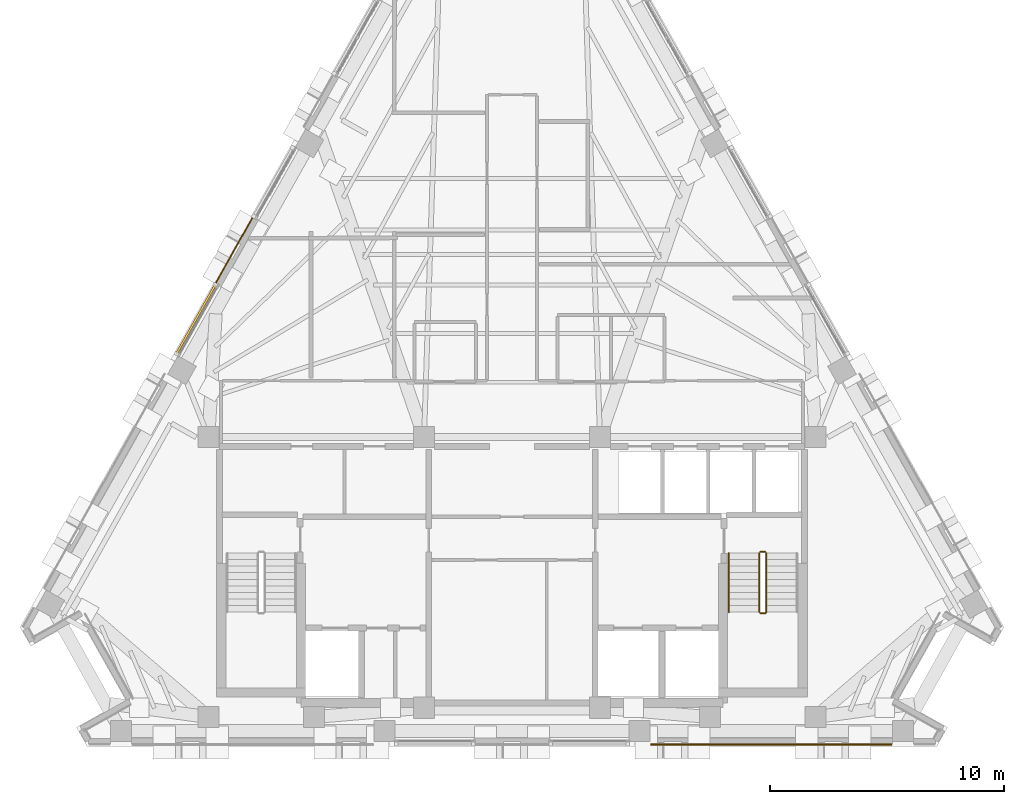
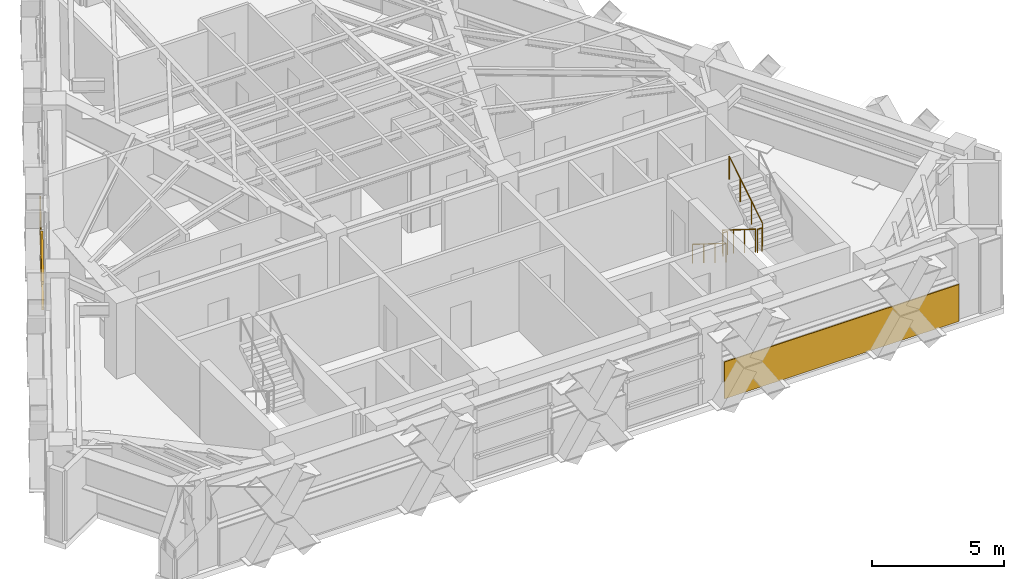
# One storey, part 12 of 13: 5 railings, 2 coverings, 2 shading devices.
"""IFC4 building model written with IfcOpenShell, lengths in metres."""

from ifc_helpers import new_model, si_unit, direction, frame, origin, origin_2d, place, context, subcontext, project, spatial, polyline, rectangle, circle, outline, extrude, material, layer, layer_set, material_profile, profile_set, type_object, element, save


model = new_model("IFC4")

# Units and contexts
model_context = context("Model", 3, precision=1e-05, world=origin(), true_north=direction((0.0, 1.0)))
body_context = subcontext(model_context, "Body", "Model", "MODEL_VIEW")
ifc_project = project(units=[si_unit("LENGTHUNIT", "METRE"), si_unit("AREAUNIT", "SQUARE_METRE"), si_unit("VOLUMEUNIT", "CUBIC_METRE"), si_unit("PLANEANGLEUNIT", "RADIAN"), si_unit("MASSUNIT", "GRAM", prefix="KILO")], contexts=[model_context])

# Site, building, storey
site_placement = place(None, origin())
site = spatial("IfcSite", under=ifc_project, at=site_placement, CompositionType="ELEMENT")
building_placement = place(site_placement, origin())
building = spatial("IfcBuilding", under=site, at=building_placement, Name="Quenlor Broadcast Tower", CompositionType="ELEMENT")
storey_placement = place(building_placement, frame((0.0, 0.0, 225.39990234375)))
storey = spatial("IfcBuildingStorey", under=building, at=storey_placement, Name="L62", CompositionType="ELEMENT", Elevation=225.39990234375)

# Shading devices
ifc_material_1 = material(Name="Architectural Terracotta Ceramic", Category="masonry")
ifc_material_profile = material_profile(ifc_material_1, rectangle(XDim=0.090087890625, YDim=0.139892578125, at=origin_2d()))
ifc_profile_set = profile_set([ifc_material_profile], Name="Architectural Terracotta Ceramic BAG90x140")
shading_device_type = type_object("IfcShadingDeviceType", Name="Copper Terracotta Baguette Solar Screen 140", PredefinedType="USERDEFINED", material=ifc_profile_set)
for number, where, z_axis, x_axis, name in (
    (1, (-14.307861328125, -1.244384765625, 1.170166015625), (0.490195776457, 0.871612356925, 0.0), (-0.871612356925, 0.490195776457, 0.0), "L62 Terracotta Baguette Screen 1"),
    (2, (-14.307861328125, -1.244384765625, 2.340087890625), (0.490195776457, 0.871612356925, 0.0), (-0.871612356925, 0.490195776457, 0.0), "L62 Terracotta Baguette Screen 2"),
):
    element("IfcShadingDevice", number, at=place(storey_placement, frame(where, z_axis=z_axis, x_axis=x_axis)), inside=storey, type_object=shading_device_type, Name=name, ObjectType="BAGUETTE", PredefinedType="USERDEFINED", context=body_context, shape_type="SweptSolid", body=[
        extrude(rectangle(XDim=0.090087890625, YDim=0.139892578125, at=origin_2d()), origin(), (0.0, 0.0, 1.0), 3.3642578125),
    ])

# Coverings
ifc_material_2 = material(Name="Architectural Terracotta Ceramic", Category="masonry")
ifc_layer = layer(ifc_material_2, 0.044921875)
ifc_layer_set = layer_set([ifc_layer], Name="Fluted Terracotta Rainscreen Cladding Panel")
covering_type = type_object("IfcCoveringType", Name="Fluted Terracotta Rainscreen Cladding Panel", PredefinedType="CLADDING", material=ifc_layer_set)
covering_1_placement = place(storey_placement, frame((0.0, 0.0, 0.02001953125)))
element("IfcCovering", 3, at=covering_1_placement, inside=storey, type_object=covering_type, Name="L62 Terracotta Rainscreen Cladding L62-EW-SA", PredefinedType="CLADDING", context=body_context, shape_type="SweptSolid", body=[
    extrude(outline(polyline([(16.19091796875, -17.89697265625), (5.9228515625, -17.89697265625), (5.9228515625, -17.94189453125), (16.19091796875, -17.94189453125), (16.19091796875, -17.89697265625)])), origin(), (0.0, 0.0, 1.0), 1.7099609375),
])
covering_2_placement = place(storey_placement, frame((0.0, 0.0, 0.02001953125)))
element("IfcCovering", 4, at=covering_2_placement, inside=storey, type_object=covering_type, Name="L62 Terracotta Rainscreen Cladding L62-NW-SP1", PredefinedType="CLADDING", context=body_context, shape_type="SweptSolid", body=[
    extrude(outline(polyline([(-12.626220703125, 1.7431640625), (-11.044189453125, 4.555908203125), (-11.08349609375, 4.577880859375), (-12.66552734375, 1.76513671875), (-12.626220703125, 1.7431640625)])), origin(), (0.0, 0.0, 1.0), 1.7099609375),
])

# Railings
ifc_material_3 = material(Name="Anodised Aluminium", Category="aluminium")
railing_type_1 = type_object("IfcRailingType", Name="Stainless Aluminium Wall Handrail 900", PredefinedType="HANDRAIL", material=ifc_material_3)
railing_1_placement = place(storey_placement, frame((9.25, -9.75, 0.175048828125)))
element("IfcRailing", 5, at=railing_1_placement, inside=storey, type_object=railing_type_1, Name="L62 ST-2 stair handrail 1", PredefinedType="HANDRAIL", context=body_context, shape_type="SweptSolid", body=[
    extrude(circle(Radius=0.02392578125, at=origin_2d()), frame((0.0, 0.0, 0.8759765625), z_axis=(0.0, -0.848007534815, 0.529984170421), x_axis=(1.0, 0.0, 0.0)), (0.0, 0.0, 1.0), 2.9716796875),
    extrude(circle(Radius=0.02099609375, at=origin_2d()), origin(), (0.0, 0.0, 1.0), 0.851806640625),
    extrude(circle(Radius=0.02099609375, at=origin_2d()), frame((0.0, -0.840087890625, 0.52490234375)), (0.0, 0.0, 1.0), 0.851806640625),
    extrude(circle(Radius=0.02099609375, at=origin_2d()), frame((0.0, -1.679931640625, 1.050048828125)), (0.0, 0.0, 1.0), 0.851806640625),
    extrude(circle(Radius=0.02099609375, at=origin_2d()), frame((0.0, -2.52001953125, 1.574951171875)), (0.0, 0.0, 1.0), 0.851806640625),
])
ifc_material_4 = material(Name="Steel S355", Category="steel")
railing_type_2 = type_object("IfcRailingType", Name="Tubular Steel S355 Stair Guardrail 1100", PredefinedType="BALUSTRADE", material=ifc_material_4)
railing_2_placement = place(storey_placement, frame((10.550048828125, -9.75, 0.175048828125)))
element("IfcRailing", 6, at=railing_2_placement, inside=storey, type_object=railing_type_2, Name="L62 ST-2 stair guard 1", PredefinedType="BALUSTRADE", context=body_context, shape_type="SweptSolid", body=[
    extrude(circle(Radius=0.02392578125, at=origin_2d()), frame((0.0, 0.0, 1.076171875), z_axis=(0.0, -0.848007534815, 0.529984170421), x_axis=(1.0, 0.0, 0.0)), (0.0, 0.0, 1.0), 2.9716796875),
    extrude(circle(Radius=0.02099609375, at=origin_2d()), origin(), (0.0, 0.0, 1.0), 1.052001953125),
    extrude(circle(Radius=0.02099609375, at=origin_2d()), frame((0.0, -0.840087890625, 0.52490234375)), (0.0, 0.0, 1.0), 1.052001953125),
    extrude(circle(Radius=0.02099609375, at=origin_2d()), frame((0.0, -1.679931640625, 1.050048828125)), (0.0, 0.0, 1.0), 1.052001953125),
    extrude(circle(Radius=0.02099609375, at=origin_2d()), frame((0.0, -2.52001953125, 1.574951171875)), (0.0, 0.0, 1.0), 1.052001953125),
])
railing_3_placement = place(storey_placement, frame((10.60009765625, -12.320068359375, 1.75)))
element("IfcRailing", 7, at=railing_3_placement, inside=storey, type_object=railing_type_2, Name="L62 ST-2 stair guard 2", PredefinedType="BALUSTRADE", context=body_context, shape_type="SweptSolid", body=[
    extrude(circle(Radius=0.02392578125, at=origin_2d()), frame((0.0, 0.0, 1.076171875), z_axis=(1.0, 0.0, 0.0), x_axis=(0.0, 1.0, 0.0)), (0.0, 0.0, 1.0), 0.199951171875),
    extrude(circle(Radius=0.02099609375, at=origin_2d()), origin(), (0.0, 0.0, 1.0), 1.052001953125),
    extrude(circle(Radius=0.02099609375, at=origin_2d()), frame((0.199951171875, 0.0, 0.0)), (0.0, 0.0, 1.0), 1.052001953125),
])
railing_4_placement = place(storey_placement, frame((10.85009765625, -12.27001953125, 1.925048828125)))
element("IfcRailing", 8, at=railing_4_placement, inside=storey, type_object=railing_type_2, Name="L62 ST-2 stair guard 3", PredefinedType="BALUSTRADE", context=body_context, shape_type="SweptSolid", body=[
    extrude(circle(Radius=0.02392578125, at=origin_2d()), frame((0.0, 0.0, 1.076171875), z_axis=(0.0, 0.848007534815, 0.529984170421), x_axis=(-1.0, 0.0, 0.0)), (0.0, 0.0, 1.0), 2.9716796875),
    extrude(circle(Radius=0.02099609375, at=origin_2d()), origin(), (0.0, 0.0, 1.0), 1.052001953125),
    extrude(circle(Radius=0.02099609375, at=origin_2d()), frame((0.0, 0.840087890625, 0.52490234375)), (0.0, 0.0, 1.0), 1.052001953125),
    extrude(circle(Radius=0.02099609375, at=origin_2d()), frame((0.0, 1.679931640625, 1.050048828125)), (0.0, 0.0, 1.0), 1.052001953125),
    extrude(circle(Radius=0.02099609375, at=origin_2d()), frame((0.0, 2.52001953125, 1.574951171875)), (0.0, 0.0, 1.0), 1.052001953125),
])
railing_5_placement = place(storey_placement, frame((10.60009765625, -9.699951171875, 0.0)))
element("IfcRailing", 9, at=railing_5_placement, inside=storey, type_object=railing_type_2, Name="L62 ST-2 stair guard 4", PredefinedType="BALUSTRADE", context=body_context, shape_type="SweptSolid", body=[
    extrude(circle(Radius=0.02392578125, at=origin_2d()), frame((0.0, 0.0, 1.076171875), z_axis=(1.0, 0.0, 0.0), x_axis=(0.0, 1.0, 0.0)), (0.0, 0.0, 1.0), 0.199951171875),
    extrude(circle(Radius=0.02099609375, at=origin_2d()), origin(), (0.0, 0.0, 1.0), 1.052001953125),
    extrude(circle(Radius=0.02099609375, at=origin_2d()), frame((0.199951171875, 0.0, 0.0)), (0.0, 0.0, 1.0), 1.052001953125),
])

save(model, "model.ifc")
